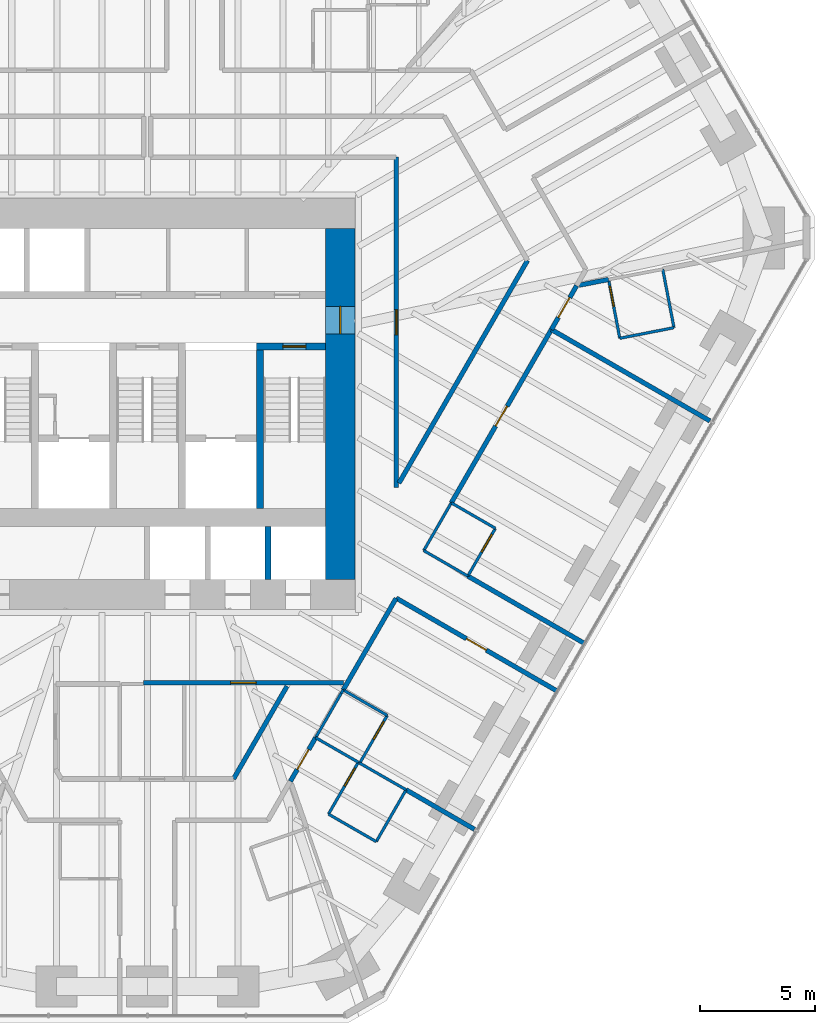
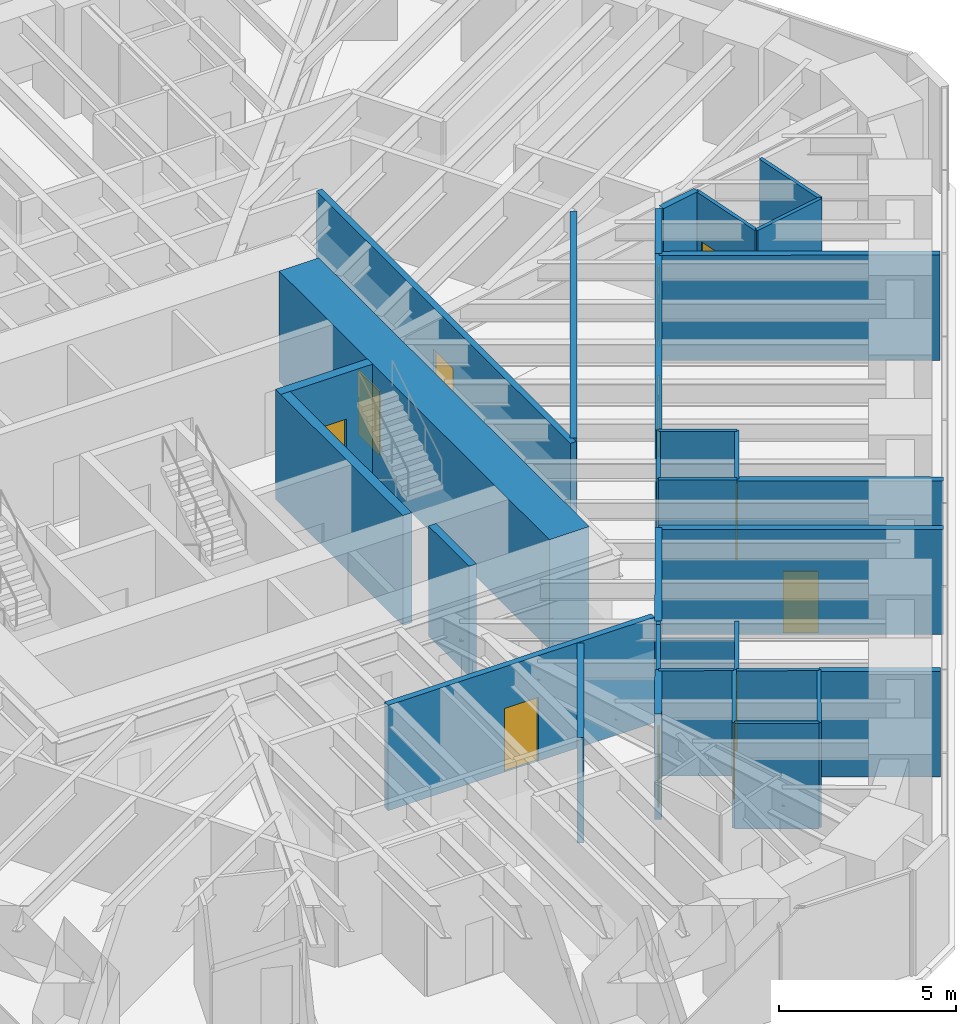
# One storey, part 13 of 16: 33 walls, 12 doors, 12 openings.
"""IFC4 building model written with IfcOpenShell, lengths in metres."""

from ifc_helpers import new_model, si_unit, direction, frame, frame_2d, origin, place, context, subcontext, project, spatial, rectangle, extrude, material, layer, layer_set, type_object, element, fill, save


model = new_model("IFC4")

# Units and contexts
model_context = context("Model", 3, precision=1e-05, world=origin(), true_north=direction((0.0, 1.0)))
body_context = subcontext(model_context, "Body", "Model", "MODEL_VIEW")
ifc_project = project(units=[si_unit("LENGTHUNIT", "METRE"), si_unit("AREAUNIT", "SQUARE_METRE"), si_unit("VOLUMEUNIT", "CUBIC_METRE"), si_unit("PLANEANGLEUNIT", "RADIAN"), si_unit("MASSUNIT", "GRAM", prefix="KILO")], contexts=[model_context])

# Site, building, storey
site_placement = place(None, origin())
site = spatial("IfcSite", under=ifc_project, at=site_placement, CompositionType="ELEMENT")
building_placement = place(site_placement, origin())
building = spatial("IfcBuilding", under=site, at=building_placement, Name="Sandreach Pilgrim Tower", CompositionType="ELEMENT")
storey_placement = place(building_placement, frame((0.0, 0.0, 131.0)))
storey = spatial("IfcBuildingStorey", under=building, at=storey_placement, Name="L32", CompositionType="ELEMENT", Elevation=131.0)

# Walls
ifc_material_1 = material(Name="Moisture-resistant gypsum board on steel studs", Category="steel")
ifc_layer_1 = layer(ifc_material_1, 0.1201171875)
ifc_layer_set_1 = layer_set([ifc_layer_1], Name="Bathroom partition 120")
wall_type_1 = type_object("IfcWallType", Name="Bathroom partition 120", PredefinedType="PARTITIONING", material=ifc_layer_set_1)
wall_1_placement = place(storey_placement, frame((7.330078125, -16.090087890625, 0.0), z_axis=(0.0, 0.0, 1.0), x_axis=(0.498475244549, 0.866903933877, 0.0)))
element("IfcWall", 1, at=wall_1_placement, inside=storey, type_object=wall_type_1, Name="Bathroom partition L32-088", PredefinedType="PARTITIONING", context=body_context, shape_type="SweptSolid", body=[
    extrude(rectangle(XDim=2.2265625, YDim=0.1201171875, at=frame_2d((1.11328125, 0.0))), origin(), (0.0, 0.0, 1.0), 3.639892578125),
])
wall_2_placement = place(storey_placement, frame((7.330078125, -16.090087890625, 0.0), z_axis=(0.0, 0.0, 1.0), x_axis=(0.866825160608, -0.498612214989, 0.0)))
element("IfcWall", 2, at=wall_2_placement, inside=storey, type_object=wall_type_1, Name="Bathroom partition L32-089", PredefinedType="PARTITIONING", context=body_context, shape_type="SweptSolid", body=[
    extrude(rectangle(XDim=2.1455078125, YDim=0.1201171875, at=frame_2d((1.07275390625, 0.0))), origin(), (0.0, 0.0, 1.0), 3.639892578125),
])
wall_3_placement = place(storey_placement, frame((7.889892578125, -19.419921875, 0.0), z_axis=(0.0, 0.0, 1.0), x_axis=(0.866202511239, -0.499693115345, 0.0)))
element("IfcWall", 3, at=wall_3_placement, inside=storey, type_object=wall_type_1, Name="Bathroom partition L32-091", PredefinedType="PARTITIONING", context=body_context, shape_type="SweptSolid", body=[
    extrude(rectangle(XDim=2.4013671875, YDim=0.1201171875, at=frame_2d((1.20068359375, 0.0))), origin(), (0.0, 0.0, 1.0), 3.639892578125),
])
wall_4_placement = place(storey_placement, frame((8.43994140625, -14.159912109375, 0.0), z_axis=(0.0, 0.0, 1.0), x_axis=(0.515111490125, 0.857123184111, 0.0)))
element("IfcWall", 4, at=wall_4_placement, inside=storey, type_object=wall_type_1, Name="Bathroom partition L32-092", PredefinedType="PARTITIONING", context=body_context, shape_type="SweptSolid", body=[
    extrude(rectangle(XDim=0.1748046875, YDim=0.1201171875, at=frame_2d((0.08740234375, 0.0))), origin(), (0.0, 0.0, 1.0), 3.639892578125),
])

# Wall, opening, door
wall_5_placement = place(storey_placement, frame((9.18994140625, -17.159912109375, 0.0), z_axis=(0.0, 0.0, 1.0), x_axis=(-0.498627694264, -0.866816256489, 0.0)))
wall_5 = element("IfcWall", 5, at=wall_5_placement, inside=storey, type_object=wall_type_1, Name="Bathroom partition L32-095", PredefinedType="PARTITIONING", context=body_context, shape_type="SweptSolid", body=[
    extrude(rectangle(XDim=2.607177734375, YDim=0.1201171875, at=frame_2d((1.3037109375, 0.0))), origin(), (0.0, 0.0, 1.0), 3.639892578125),
])
opening_1_placement = place(wall_5_placement, frame((0.300048828125, 0.0, 0.0)))
opening_1 = element("IfcOpeningElement", 6, at=opening_1_placement, cuts=wall_5, Name="Opening D09-09B", PredefinedType="OPENING", context=body_context, shape_type="SweptSolid", body=[
    extrude(rectangle(XDim=0.89990234375, YDim=2.030029296875, at=frame_2d((0.449951171875, 1.01513671875))), frame((0.0, 0.06005859375, 0.0), z_axis=(0.0, -1.0, 0.0), x_axis=(1.0, 0.0, 0.0)), (0.0, 0.0, 1.0), 0.1201171875),
])
ifc_material_2 = material(Name="Timber door, steel frame", Category="steel")
door_type_1 = type_object("IfcDoorType", Name="Bathroom door", OperationType="SINGLE_SWING_LEFT", PredefinedType="DOOR", material=ifc_material_2)
door_1_placement = place(opening_1_placement, origin())
door_1 = element("IfcDoor", 7, at=door_1_placement, inside=storey, type_object=door_type_1, Name="Door 3209B", OperationType="SINGLE_SWING_LEFT", OverallHeight=2.030029296875, OverallWidth=0.89990234375, PredefinedType="DOOR", context=body_context, shape_type="SweptSolid", body=[
    extrude(rectangle(XDim=0.89990234375, YDim=2.030029296875, at=frame_2d((0.449951171875, 1.01513671875))), frame((0.0, 0.02490234375, 0.0), z_axis=(0.0, -1.0, 0.0), x_axis=(1.0, 0.0, 0.0)), (0.0, 0.0, 1.0), 0.050048828125),
])
fill(opening_1, door_1)

wall_6_placement = place(storey_placement, frame((9.25, -17.199951171875, 0.0), z_axis=(0.0, 0.0, 1.0), x_axis=(0.499737123639, 0.866177122335, 0.0)))
wall_6 = element("IfcWall", 8, at=wall_6_placement, inside=storey, type_object=wall_type_1, Name="Bathroom partition L32-096", PredefinedType="PARTITIONING", context=body_context, shape_type="SweptSolid", body=[
    extrude(rectangle(XDim=2.401123046875, YDim=0.1201171875, at=frame_2d((1.20068359375, 0.0))), origin(), (0.0, 0.0, 1.0), 3.639892578125),
])
opening_2_placement = place(wall_6_placement, frame((1.201416015625, 0.0, 0.0)))
opening_2 = element("IfcOpeningElement", 9, at=opening_2_placement, cuts=wall_6, Name="Opening D09-08B", PredefinedType="OPENING", context=body_context, shape_type="SweptSolid", body=[
    extrude(rectangle(XDim=0.89990234375, YDim=2.030029296875, at=frame_2d((0.449951171875, 1.01513671875))), frame((0.0, 0.06005859375, 0.0), z_axis=(0.0, -1.0, 0.0), x_axis=(1.0, 0.0, 0.0)), (0.0, 0.0, 1.0), 0.1201171875),
])
door_2_placement = place(opening_2_placement, origin())
door_2 = element("IfcDoor", 10, at=door_2_placement, inside=storey, type_object=door_type_1, Name="Door 3208B", OperationType="SINGLE_SWING_RIGHT", OverallHeight=2.030029296875, OverallWidth=0.89990234375, PredefinedType="DOOR", context=body_context, shape_type="SweptSolid", body=[
    extrude(rectangle(XDim=0.89990234375, YDim=2.030029296875, at=frame_2d((0.449951171875, 1.01513671875))), frame((0.0, 0.02490234375, 0.0), z_axis=(0.0, -1.0, 0.0), x_axis=(1.0, 0.0, 0.0)), (0.0, 0.0, 1.0), 0.050048828125),
])
fill(opening_2, door_2)

# Walls
wall_7_placement = place(storey_placement, frame((9.25, -17.199951171875, 0.0), z_axis=(0.0, 0.0, 1.0), x_axis=(0.867157547908, -0.498033921641, 0.0)))
element("IfcWall", 11, at=wall_7_placement, inside=storey, type_object=wall_type_1, Name="Bathroom partition L32-097", PredefinedType="PARTITIONING", context=body_context, shape_type="SweptSolid", body=[
    extrude(rectangle(XDim=2.32958984375, YDim=0.1201171875, at=frame_2d((1.164794921875, 0.0))), origin(), (0.0, 0.0, 1.0), 3.639892578125),
])
wall_8_placement = place(storey_placement, frame((9.969970703125, -20.6201171875, 0.0), z_axis=(0.0, 0.0, 1.0), x_axis=(0.498627694264, 0.866816256489, 0.0)))
element("IfcWall", 12, at=wall_8_placement, inside=storey, type_object=wall_type_1, Name="Bathroom partition L32-105", PredefinedType="PARTITIONING", context=body_context, shape_type="SweptSolid", body=[
    extrude(rectangle(XDim=2.607177734375, YDim=0.1201171875, at=frame_2d((1.3037109375, 0.0))), origin(), (0.0, 0.0, 1.0), 3.639892578125),
])
wall_9_placement = place(storey_placement, frame((10.449951171875, -15.1201171875, 0.0), z_axis=(0.0, 0.0, 1.0), x_axis=(-0.865705017107, 0.500554515868, 0.0)))
element("IfcWall", 13, at=wall_9_placement, inside=storey, type_object=wall_type_1, Name="Bathroom partition L32-106", PredefinedType="PARTITIONING", context=body_context, shape_type="SweptSolid", body=[
    extrude(rectangle(XDim=2.2177734375, YDim=0.1201171875, at=frame_2d((1.10888671875, 0.0))), origin(), (0.0, 0.0, 1.0), 3.022705078125),
])
wall_10_placement = place(storey_placement, frame((12.0400390625, -7.93994140625, 0.0), z_axis=(0.0, 0.0, 1.0), x_axis=(0.499737123639, 0.866177122335, 0.0)))
element("IfcWall", 14, at=wall_10_placement, inside=storey, type_object=wall_type_1, Name="Bathroom partition L32-112", PredefinedType="PARTITIONING", context=body_context, shape_type="SweptSolid", body=[
    extrude(rectangle(XDim=2.401123046875, YDim=0.1201171875, at=frame_2d((1.20068359375, 0.0))), origin(), (0.0, 0.0, 1.0), 3.639892578125),
])
wall_11_placement = place(storey_placement, frame((12.0400390625, -7.93994140625, 0.0), z_axis=(0.0, 0.0, 1.0), x_axis=(0.865705017107, -0.500554515868, 0.0)))
element("IfcWall", 15, at=wall_11_placement, inside=storey, type_object=wall_type_1, Name="Bathroom partition L32-113", PredefinedType="PARTITIONING", context=body_context, shape_type="SweptSolid", body=[
    extrude(rectangle(XDim=2.2177734375, YDim=0.1201171875, at=frame_2d((1.10888671875, 0.0))), origin(), (0.0, 0.0, 1.0), 3.639892578125),
])

# Wall, opening, door
wall_12_placement = place(storey_placement, frame((13.9599609375, -9.050048828125, 0.0), z_axis=(0.0, 0.0, 1.0), x_axis=(0.499693115345, 0.866202511239, 0.0)))
wall_12 = element("IfcWall", 16, at=wall_12_placement, inside=storey, type_object=wall_type_1, Name="Bathroom partition L32-118", PredefinedType="PARTITIONING", context=body_context, shape_type="SweptSolid", body=[
    extrude(rectangle(XDim=2.4013671875, YDim=0.1201171875, at=frame_2d((1.20068359375, 0.0))), origin(), (0.0, 0.0, 1.0), 3.639892578125),
])
opening_3_placement = place(wall_12_placement, frame((1.201416015625, 0.0, 0.0)))
opening_3 = element("IfcOpeningElement", 17, at=opening_3_placement, cuts=wall_12, Name="Opening D09-07B", PredefinedType="OPENING", context=body_context, shape_type="SweptSolid", body=[
    extrude(rectangle(XDim=0.89990234375, YDim=2.030029296875, at=frame_2d((0.449951171875, 1.01513671875))), frame((0.0, 0.06005859375, 0.0), z_axis=(0.0, -1.0, 0.0), x_axis=(1.0, 0.0, 0.0)), (0.0, 0.0, 1.0), 0.1201171875),
])
door_3_placement = place(opening_3_placement, origin())
door_3 = element("IfcDoor", 18, at=door_3_placement, inside=storey, type_object=door_type_1, Name="Door 3207B", OperationType="SINGLE_SWING_RIGHT", OverallHeight=2.030029296875, OverallWidth=0.89990234375, PredefinedType="DOOR", context=body_context, shape_type="SweptSolid", body=[
    extrude(rectangle(XDim=0.89990234375, YDim=2.030029296875, at=frame_2d((0.449951171875, 1.01513671875))), frame((0.0, 0.02490234375, 0.0), z_axis=(0.0, -1.0, 0.0), x_axis=(1.0, 0.0, 0.0)), (0.0, 0.0, 1.0), 0.050048828125),
])
fill(opening_3, door_3)

# Wall
wall_13_placement = place(storey_placement, frame((15.159912109375, -6.969970703125, 0.0), z_axis=(0.0, 0.0, 1.0), x_axis=(-0.865705017107, 0.500554515868, 0.0)))
element("IfcWall", 19, at=wall_13_placement, inside=storey, type_object=wall_type_1, Name="Bathroom partition L32-121", PredefinedType="PARTITIONING", context=body_context, shape_type="SweptSolid", body=[
    extrude(rectangle(XDim=2.2177734375, YDim=0.1201171875, at=frame_2d((1.10888671875, 0.0))), origin(), (0.0, 0.0, 1.0), 3.639892578125),
])

# Wall, opening, door
wall_14_placement = place(storey_placement, frame((20.090087890625, 3.8701171875, 0.0), z_axis=(0.0, 0.0, 1.0), x_axis=(0.187985762814, -0.982171753299, 0.0)))
wall_14 = element("IfcWall", 20, at=wall_14_placement, inside=storey, type_object=wall_type_1, Name="Bathroom partition L32-130", PredefinedType="PARTITIONING", context=body_context, shape_type="SweptSolid", body=[
    extrude(rectangle(XDim=2.6064453125, YDim=0.1201171875, at=frame_2d((1.30322265625, 0.0))), origin(), (0.0, 0.0, 1.0), 3.639892578125),
])
opening_4_placement = place(wall_14_placement, frame((0.300048828125, 0.0, 0.0)))
opening_4 = element("IfcOpeningElement", 21, at=opening_4_placement, cuts=wall_14, Name="Opening D09-06B", PredefinedType="OPENING", context=body_context, shape_type="SweptSolid", body=[
    extrude(rectangle(XDim=0.89990234375, YDim=2.030029296875, at=frame_2d((0.449951171875, 1.01513671875))), frame((0.0, 0.06005859375, 0.0), z_axis=(0.0, -1.0, 0.0), x_axis=(1.0, 0.0, 0.0)), (0.0, 0.0, 1.0), 0.1201171875),
])
door_4_placement = place(opening_4_placement, origin())
door_4 = element("IfcDoor", 22, at=door_4_placement, inside=storey, type_object=door_type_1, Name="Door 3206B", OperationType="SINGLE_SWING_LEFT", OverallHeight=2.030029296875, OverallWidth=0.89990234375, PredefinedType="DOOR", context=body_context, shape_type="SweptSolid", body=[
    extrude(rectangle(XDim=0.89990234375, YDim=2.030029296875, at=frame_2d((0.449951171875, 1.01513671875))), frame((0.0, 0.02490234375, 0.0), z_axis=(0.0, -1.0, 0.0), x_axis=(1.0, 0.0, 0.0)), (0.0, 0.0, 1.0), 0.050048828125),
])
fill(opening_4, door_4)

# Walls
wall_15_placement = place(storey_placement, frame((20.580078125, 1.31005859375, 0.0), z_axis=(0.0, 0.0, 1.0), x_axis=(0.981529676402, 0.191309943135, 0.0)))
element("IfcWall", 23, at=wall_15_placement, inside=storey, type_object=wall_type_1, Name="Bathroom partition L32-132", PredefinedType="PARTITIONING", context=body_context, shape_type="SweptSolid", body=[
    extrude(rectangle(XDim=2.404296875, YDim=0.1201171875, at=frame_2d((1.2021484375, 0.0))), origin(), (0.0, 0.0, 1.0), 3.639892578125),
])
wall_16_placement = place(storey_placement, frame((22.93994140625, 1.77001953125, 0.0), z_axis=(0.0, 0.0, 1.0), x_axis=(-0.188697442844, 0.982035271802, 0.0)))
element("IfcWall", 24, at=wall_16_placement, inside=storey, type_object=wall_type_1, Name="Bathroom partition L32-134", PredefinedType="PARTITIONING", context=body_context, shape_type="SweptSolid", body=[
    extrude(rectangle(XDim=2.5966796875, YDim=0.1201171875, at=frame_2d((1.29833984375, 0.0))), origin(), (0.0, 0.0, 1.0), 3.639892578125),
])
ifc_material_3 = material(Name="Concrete 10000 psi", Category="concrete")
ifc_layer_2 = layer(ifc_material_3, 0.300048828125)
ifc_layer_set_2 = layer_set([ifc_layer_2], Name="Core inner wall 300")
wall_type_2 = type_object("IfcWallType", Name="Core inner wall 300", PredefinedType="SHEAR", material=ifc_layer_set_2)
wall_17_placement = place(storey_placement, frame((4.89990234375, -6.10009765625, 0.0), z_axis=(0.0, 0.0, 1.0), x_axis=(0.0, 1.0, 0.0)))
element("IfcWall", 25, at=wall_17_placement, inside=storey, type_object=wall_type_2, Name="Core wall I3 L32", PredefinedType="SHEAR", context=body_context, shape_type="SweptSolid", body=[
    extrude(rectangle(XDim=7.2001953125, YDim=0.300048828125, at=frame_2d((3.60009765625, 0.0))), origin(), (0.0, 0.0, 1.0), 3.800048828125),
])

# Wall, opening, door
wall_18_placement = place(storey_placement, frame((4.75, 0.949951171875, 0.0), z_axis=(0.0, 0.0, 1.0), x_axis=(1.0, 0.0, 0.0)))
wall_18 = element("IfcWall", 26, at=wall_18_placement, inside=storey, type_object=wall_type_2, Name="Core wall SN2 L32", PredefinedType="SHEAR", context=body_context, shape_type="SweptSolid", body=[
    extrude(rectangle(XDim=3.0, YDim=0.300048828125, at=frame_2d((1.5, 0.0))), origin(), (0.0, 0.0, 1.0), 3.800048828125),
])
opening_5_placement = place(wall_18_placement, frame((1.14990234375, 0.0, 0.0)))
opening_5 = element("IfcOpeningElement", 27, at=opening_5_placement, cuts=wall_18, Name="Opening D10S-ST2", PredefinedType="OPENING", context=body_context, shape_type="SweptSolid", body=[
    extrude(rectangle(XDim=1.0, YDim=2.199951171875, at=frame_2d((0.5, 1.10009765625))), frame((0.0, 0.14990234375, 0.0), z_axis=(0.0, -1.0, 0.0), x_axis=(1.0, 0.0, 0.0)), (0.0, 0.0, 1.0), 0.300048828125),
])
ifc_material_4 = material(Name="Steel door and frame", Category="steel")
door_type_2 = type_object("IfcDoorType", Name="Stair door", OperationType="SINGLE_SWING_LEFT", PredefinedType="DOOR", material=ifc_material_4)
door_5_placement = place(opening_5_placement, origin())
door_5 = element("IfcDoor", 28, at=door_5_placement, inside=storey, type_object=door_type_2, Name="Stair door ST2 L32", OperationType="SINGLE_SWING_RIGHT", OverallHeight=2.199951171875, OverallWidth=1.0, PredefinedType="DOOR", context=body_context, shape_type="SweptSolid", body=[
    extrude(rectangle(XDim=1.0, YDim=2.199951171875, at=frame_2d((0.5, 1.10009765625))), frame((0.0, 0.02490234375, 0.0), z_axis=(0.0, -1.0, 0.0), x_axis=(1.0, 0.0, 0.0)), (0.0, 0.0, 1.0), 0.050048828125),
])
fill(opening_5, door_5)

ifc_material_5 = material(Name="Concrete 10000 psi", Category="concrete")
ifc_layer_3 = layer(ifc_material_5, 1.300048828125)
ifc_layer_set_3 = layer_set([ifc_layer_3], Name="Core wall 1300")
wall_type_3 = type_object("IfcWallType", Name="Core wall 1300", PredefinedType="SHEAR", material=ifc_layer_set_3)
wall_19_placement = place(storey_placement, frame((8.39990234375, -9.199951171875, 0.0), z_axis=(0.0, 0.0, 1.0), x_axis=(0.0, 1.0, 0.0)))
wall_19 = element("IfcWall", 29, at=wall_19_placement, inside=storey, type_object=wall_type_3, Name="Core wall E L32", PredefinedType="SHEAR", context=body_context, shape_type="SweptSolid", body=[
    extrude(rectangle(XDim=15.300048828125, YDim=1.300048828125, at=frame_2d((7.64990234375, 0.0))), origin(), (0.0, 0.0, 1.0), 3.800048828125),
])
opening_6_placement = place(wall_19_placement, frame((10.699951171875, 0.0, 0.0)))
opening_6 = element("IfcOpeningElement", 30, at=opening_6_placement, cuts=wall_19, Name="Opening D12F-E", PredefinedType="OPENING", context=body_context, shape_type="SweptSolid", body=[
    extrude(rectangle(XDim=1.199951171875, YDim=2.199951171875, at=frame_2d((0.60009765625, 1.10009765625))), frame((0.0, 0.64990234375, 0.0), z_axis=(0.0, -1.0, 0.0), x_axis=(1.0, 0.0, 0.0)), (0.0, 0.0, 1.0), 1.300048828125),
])
ifc_material_6 = material(Name="Steel door and frame", Category="steel")
door_type_3 = type_object("IfcDoorType", Name="Fire lobby door", OperationType="SINGLE_SWING_LEFT", PredefinedType="DOOR", material=ifc_material_6)
door_6_placement = place(opening_6_placement, origin())
door_6 = element("IfcDoor", 31, at=door_6_placement, inside=storey, type_object=door_type_3, Name="Fire service lobby door E L32", OperationType="SINGLE_SWING_RIGHT", OverallHeight=2.199951171875, OverallWidth=1.199951171875, PredefinedType="DOOR", context=body_context, shape_type="SweptSolid", body=[
    extrude(rectangle(XDim=1.199951171875, YDim=2.199951171875, at=frame_2d((0.60009765625, 1.10009765625))), frame((0.0, 0.02490234375, 0.0), z_axis=(0.0, -1.0, 0.0), x_axis=(1.0, 0.0, 0.0)), (0.0, 0.0, 1.0), 0.050048828125),
])
fill(opening_6, door_6)

# Wall
ifc_material_7 = material(Name="Gypsum board on steel studs, two layers each side", Category="steel")
ifc_layer_4 = layer(ifc_material_7, 0.199951171875)
ifc_layer_set_4 = layer_set([ifc_layer_4], Name="Corridor wall 200")
wall_type_4 = type_object("IfcWallType", Name="Corridor wall 200", PredefinedType="PARTITIONING", material=ifc_layer_set_4)
wall_20_placement = place(storey_placement, frame((6.08251953125, -13.849609375, 0.0), z_axis=(0.0, 0.0, 1.0), x_axis=(-0.499977643516, -0.866038310922, 0.0)))
element("IfcWall", 32, at=wall_20_placement, inside=storey, type_object=wall_type_4, Name="Corridor wall L32-081", PredefinedType="PARTITIONING", context=body_context, shape_type="SweptSolid", body=[
    extrude(rectangle(XDim=4.665283203125, YDim=0.199951171875, at=frame_2d((2.33251953125, 0.0))), origin(), (0.0, 0.0, 1.0), 3.639892578125),
])

# Wall, opening, door
wall_21_placement = place(storey_placement, frame((6.22998046875, -17.989990234375, 0.0), z_axis=(0.0, 0.0, 1.0), x_axis=(0.500957366999, 0.865471961677, 0.0)))
wall_21 = element("IfcWall", 33, at=wall_21_placement, inside=storey, type_object=wall_type_4, Name="Corridor wall L32-082", PredefinedType="PARTITIONING", context=body_context, shape_type="SweptSolid", body=[
    extrude(rectangle(XDim=2.195556640625, YDim=0.199951171875, at=frame_2d((1.09765625, 0.0))), origin(), (0.0, 0.0, 1.0), 3.639892578125),
])
opening_7_placement = place(wall_21_placement, frame((0.597900390625, 0.0, 0.0)))
opening_7 = element("IfcOpeningElement", 34, at=opening_7_placement, cuts=wall_21, Name="Opening D10-09", PredefinedType="OPENING", context=body_context, shape_type="SweptSolid", body=[
    extrude(rectangle(XDim=1.0, YDim=2.1298828125, at=frame_2d((0.5, 1.06494140625))), frame((0.0, 0.10009765625, 0.0), z_axis=(0.0, -1.0, 0.0), x_axis=(1.0, 0.0, 0.0)), (0.0, 0.0, 1.0), 0.199951171875),
])
ifc_material_8 = material(Name="Steel door and frame", Category="steel")
door_type_4 = type_object("IfcDoorType", Name="Guest room entry door", OperationType="SINGLE_SWING_LEFT", PredefinedType="DOOR", material=ifc_material_8)
door_7_placement = place(opening_7_placement, origin())
door_7 = element("IfcDoor", 35, at=door_7_placement, inside=storey, type_object=door_type_4, Name="Door 3209", OperationType="SINGLE_SWING_LEFT", OverallHeight=2.1298828125, OverallWidth=1.0, PredefinedType="DOOR", context=body_context, shape_type="SweptSolid", body=[
    extrude(rectangle(XDim=1.0, YDim=2.1298828125, at=frame_2d((0.5, 1.06494140625))), frame((0.0, 0.02490234375, 0.0), z_axis=(0.0, -1.0, 0.0), x_axis=(1.0, 0.0, 0.0)), (0.0, 0.0, 1.0), 0.050048828125),
])
fill(opening_7, door_7)

# Wall
wall_22_placement = place(storey_placement, frame((8.530029296875, -14.010009765625, 0.0), z_axis=(0.0, 0.0, 1.0), x_axis=(0.500091179446, 0.865972754907, 0.0)))
element("IfcWall", 36, at=wall_22_placement, inside=storey, type_object=wall_type_4, Name="Corridor wall L32-093", PredefinedType="PARTITIONING", context=body_context, shape_type="SweptSolid", body=[
    extrude(rectangle(XDim=4.604248046875, YDim=0.199951171875, at=frame_2d((2.30224609375, 0.0))), origin(), (0.0, 0.0, 1.0), 3.639892578125),
])

# Wall, opening, door
wall_23_placement = place(storey_placement, frame((8.53369140625, -13.699951171875, 0.0), z_axis=(0.0, 0.0, 1.0), x_axis=(-1.0, 0.0, 0.0)))
wall_23 = element("IfcWall", 37, at=wall_23_placement, inside=storey, type_object=wall_type_4, Name="Corridor wall L32-094", PredefinedType="PARTITIONING", context=body_context, shape_type="SweptSolid", body=[
    extrude(rectangle(XDim=8.70361328125, YDim=0.199951171875, at=frame_2d((4.351806640625, 0.0))), origin(), (0.0, 0.0, 1.0), 3.639892578125),
])
opening_8_placement = place(wall_23_placement, frame((3.8017578125, 0.0, 0.0)))
opening_8 = element("IfcOpeningElement", 38, at=opening_8_placement, cuts=wall_23, Name="Opening D11H-S4", PredefinedType="OPENING", context=body_context, shape_type="SweptSolid", body=[
    extrude(rectangle(XDim=1.10009765625, YDim=2.199951171875, at=frame_2d((0.550048828125, 1.10009765625))), frame((0.0, 0.10009765625, 0.0), z_axis=(0.0, -1.0, 0.0), x_axis=(1.0, 0.0, 0.0)), (0.0, 0.0, 1.0), 0.199951171875),
])
ifc_material_9 = material(Name="Steel door and frame", Category="steel")
door_type_5 = type_object("IfcDoorType", Name="Back of house door", OperationType="SINGLE_SWING_LEFT", PredefinedType="DOOR", material=ifc_material_9)
door_8_placement = place(opening_8_placement, origin())
door_8 = element("IfcDoor", 39, at=door_8_placement, inside=storey, type_object=door_type_5, Name="Door 32S4", OperationType="SINGLE_SWING_LEFT", OverallHeight=2.199951171875, OverallWidth=1.10009765625, PredefinedType="DOOR", context=body_context, shape_type="SweptSolid", body=[
    extrude(rectangle(XDim=1.10009765625, YDim=2.199951171875, at=frame_2d((0.550048828125, 1.10009765625))), frame((0.0, 0.02490234375, 0.0), z_axis=(0.0, -1.0, 0.0), x_axis=(1.0, 0.0, 0.0)), (0.0, 0.0, 1.0), 0.050048828125),
])
fill(opening_8, door_8)

wall_24_placement = place(storey_placement, frame((10.840087890625, -10.010009765625, 0.0), z_axis=(0.0, 0.0, 1.0), x_axis=(0.86587701925, -0.500256921525, 0.0)))
wall_24 = element("IfcWall", 40, at=wall_24_placement, inside=storey, type_object=wall_type_4, Name="Corridor wall L32-107", PredefinedType="PARTITIONING", context=body_context, shape_type="SweptSolid", body=[
    extrude(rectangle(XDim=8.065673828125, YDim=0.199951171875, at=frame_2d((4.03271484375, 0.0))), origin(), (0.0, 0.0, 1.0), 3.639892578125),
])
opening_9_placement = place(wall_24_placement, frame((3.532958984375, 0.0, 0.0)))
opening_9 = element("IfcOpeningElement", 41, at=opening_9_placement, cuts=wall_24, Name="Opening D10-08", PredefinedType="OPENING", context=body_context, shape_type="SweptSolid", body=[
    extrude(rectangle(XDim=1.0, YDim=2.1298828125, at=frame_2d((0.5, 1.06494140625))), frame((0.0, 0.10009765625, 0.0), z_axis=(0.0, -1.0, 0.0), x_axis=(1.0, 0.0, 0.0)), (0.0, 0.0, 1.0), 0.199951171875),
])
door_9_placement = place(opening_9_placement, origin())
door_9 = element("IfcDoor", 42, at=door_9_placement, inside=storey, type_object=door_type_4, Name="Door 3208", OperationType="SINGLE_SWING_LEFT", OverallHeight=2.1298828125, OverallWidth=1.0, PredefinedType="DOOR", context=body_context, shape_type="SweptSolid", body=[
    extrude(rectangle(XDim=1.0, YDim=2.1298828125, at=frame_2d((0.5, 1.06494140625))), frame((0.0, 0.02490234375, 0.0), z_axis=(0.0, -1.0, 0.0), x_axis=(1.0, 0.0, 0.0)), (0.0, 0.0, 1.0), 0.050048828125),
])
fill(opening_9, door_9)

wall_25_placement = place(storey_placement, frame((10.85009765625, -5.18994140625, 0.0), z_axis=(0.0, 0.0, 1.0), x_axis=(0.0, 1.0, 0.0)))
wall_25 = element("IfcWall", 43, at=wall_25_placement, inside=storey, type_object=wall_type_4, Name="Corridor wall L32-109", PredefinedType="PARTITIONING", context=body_context, shape_type="SweptSolid", body=[
    extrude(rectangle(XDim=14.389892578125, YDim=0.199951171875, at=frame_2d((7.19482421875, 0.0))), origin(), (0.0, 0.0, 1.0), 3.639892578125),
])
opening_10_placement = place(wall_25_placement, frame((6.64501953125, 0.0, 0.0)))
opening_10 = element("IfcOpeningElement", 44, at=opening_10_placement, cuts=wall_25, Name="Opening D11H-M2", PredefinedType="OPENING", context=body_context, shape_type="SweptSolid", body=[
    extrude(rectangle(XDim=1.10009765625, YDim=2.199951171875, at=frame_2d((0.550048828125, 1.10009765625))), frame((0.0, 0.10009765625, 0.0), z_axis=(0.0, -1.0, 0.0), x_axis=(1.0, 0.0, 0.0)), (0.0, 0.0, 1.0), 0.199951171875),
])
door_10_placement = place(opening_10_placement, origin())
door_10 = element("IfcDoor", 45, at=door_10_placement, inside=storey, type_object=door_type_5, Name="Door 32M2", OperationType="SINGLE_SWING_LEFT", OverallHeight=2.199951171875, OverallWidth=1.10009765625, PredefinedType="DOOR", context=body_context, shape_type="SweptSolid", body=[
    extrude(rectangle(XDim=1.10009765625, YDim=2.199951171875, at=frame_2d((0.550048828125, 1.10009765625))), frame((0.0, 0.02490234375, 0.0), z_axis=(0.0, -1.0, 0.0), x_axis=(1.0, 0.0, 0.0)), (0.0, 0.0, 1.0), 0.050048828125),
])
fill(opening_10, door_10)

wall_26_placement = place(storey_placement, frame((13.239990234375, -5.860107421875, 0.0), z_axis=(0.0, 0.0, 1.0), x_axis=(0.500093306236, 0.865971526701, 0.0)))
wall_26 = element("IfcWall", 46, at=wall_26_placement, inside=storey, type_object=wall_type_4, Name="Corridor wall L32-117", PredefinedType="PARTITIONING", context=body_context, shape_type="SweptSolid", body=[
    extrude(rectangle(XDim=8.718505859375, YDim=0.199951171875, at=frame_2d((4.359375, 0.0))), origin(), (0.0, 0.0, 1.0), 3.639892578125),
])
opening_11_placement = place(wall_26_placement, frame((3.859130859375, 0.0, 0.0)))
opening_11 = element("IfcOpeningElement", 47, at=opening_11_placement, cuts=wall_26, Name="Opening D10-07", PredefinedType="OPENING", context=body_context, shape_type="SweptSolid", body=[
    extrude(rectangle(XDim=1.0, YDim=2.1298828125, at=frame_2d((0.5, 1.06494140625))), frame((0.0, 0.10009765625, 0.0), z_axis=(0.0, -1.0, 0.0), x_axis=(1.0, 0.0, 0.0)), (0.0, 0.0, 1.0), 0.199951171875),
])
door_11_placement = place(opening_11_placement, origin())
door_11 = element("IfcDoor", 48, at=door_11_placement, inside=storey, type_object=door_type_4, Name="Door 3207", OperationType="SINGLE_SWING_LEFT", OverallHeight=2.1298828125, OverallWidth=1.0, PredefinedType="DOOR", context=body_context, shape_type="SweptSolid", body=[
    extrude(rectangle(XDim=1.0, YDim=2.1298828125, at=frame_2d((0.5, 1.06494140625))), frame((0.0, 0.02490234375, 0.0), z_axis=(0.0, -1.0, 0.0), x_axis=(1.0, 0.0, 0.0)), (0.0, 0.0, 1.0), 0.050048828125),
])
fill(opening_11, door_11)

# Walls
wall_27_placement = place(storey_placement, frame((13.9599609375, -9.050048828125, 0.0), z_axis=(0.0, 0.0, 1.0), x_axis=(0.865934584664, -0.500157270349, 0.0)))
element("IfcWall", 49, at=wall_27_placement, inside=storey, type_object=wall_type_4, Name="Corridor wall L32-119", PredefinedType="PARTITIONING", context=body_context, shape_type="SweptSolid", body=[
    extrude(rectangle(XDim=5.84814453125, YDim=0.199951171875, at=frame_2d((2.924072265625, 0.0))), origin(), (0.0, 0.0, 1.0), 3.639892578125),
])
wall_28_placement = place(storey_placement, frame((16.56005859375, 4.699951171875, 0.0), z_axis=(0.0, 0.0, 1.0), x_axis=(-0.500007375767, -0.866021145342, 0.0)))
element("IfcWall", 50, at=wall_28_placement, inside=storey, type_object=wall_type_4, Name="Corridor wall L32-123", PredefinedType="PARTITIONING", context=body_context, shape_type="SweptSolid", body=[
    extrude(rectangle(XDim=11.199951171875, YDim=0.199951171875, at=frame_2d((5.60009765625, 0.0))), origin(), (0.0, 0.0, 1.0), 3.639892578125),
])

# Wall, opening, door
wall_29_placement = place(storey_placement, frame((17.60009765625, 1.68994140625, 0.0), z_axis=(0.0, 0.0, 1.0), x_axis=(0.498987132006, 0.866609394187, 0.0)))
wall_29 = element("IfcWall", 51, at=wall_29_placement, inside=storey, type_object=wall_type_4, Name="Corridor wall L32-125", PredefinedType="PARTITIONING", context=body_context, shape_type="SweptSolid", body=[
    extrude(rectangle(XDim=2.2041015625, YDim=0.199951171875, at=frame_2d((1.10205078125, 0.0))), origin(), (0.0, 0.0, 1.0), 3.639892578125),
])
opening_12_placement = place(wall_29_placement, frame((0.60205078125, 0.0, 0.0)))
opening_12 = element("IfcOpeningElement", 52, at=opening_12_placement, cuts=wall_29, Name="Opening D10-06", PredefinedType="OPENING", context=body_context, shape_type="SweptSolid", body=[
    extrude(rectangle(XDim=1.0, YDim=2.1298828125, at=frame_2d((0.5, 1.06494140625))), frame((0.0, 0.10009765625, 0.0), z_axis=(0.0, -1.0, 0.0), x_axis=(1.0, 0.0, 0.0)), (0.0, 0.0, 1.0), 0.199951171875),
])
door_12_placement = place(opening_12_placement, origin())
door_12 = element("IfcDoor", 53, at=door_12_placement, inside=storey, type_object=door_type_4, Name="Door 3206", OperationType="SINGLE_SWING_LEFT", OverallHeight=2.1298828125, OverallWidth=1.0, PredefinedType="DOOR", context=body_context, shape_type="SweptSolid", body=[
    extrude(rectangle(XDim=1.0, YDim=2.1298828125, at=frame_2d((0.5, 1.06494140625))), frame((0.0, 0.02490234375, 0.0), z_axis=(0.0, -1.0, 0.0), x_axis=(1.0, 0.0, 0.0)), (0.0, 0.0, 1.0), 0.050048828125),
])
fill(opening_12, door_12)

# Walls
ifc_material_10 = material(Name="Double steel stud acoustic wall, gypsum board", Category="steel")
ifc_layer_5 = layer(ifc_material_10, 0.199951171875)
ifc_layer_set_5 = layer_set([ifc_layer_5], Name="Party wall 200")
wall_type_5 = type_object("IfcWallType", Name="Party wall 200", PredefinedType="PARTITIONING", material=ifc_layer_set_5)
wall_30_placement = place(storey_placement, frame((11.27001953125, -18.360107421875, 0.0), z_axis=(0.0, 0.0, 1.0), x_axis=(0.865806952829, -0.500378177414, 0.0)))
element("IfcWall", 54, at=wall_30_placement, inside=storey, type_object=wall_type_5, Name="Party wall L32-111", PredefinedType="PARTITIONING", context=body_context, shape_type="SweptSolid", body=[
    extrude(rectangle(XDim=3.437255859375, YDim=0.199951171875, at=frame_2d((1.71875, 0.0))), origin(), (0.0, 0.0, 1.0), 3.639892578125),
])
wall_31_placement = place(storey_placement, frame((18.807861328125, 3.62109375, 0.0), z_axis=(0.0, 0.0, 1.0), x_axis=(0.981658166981, 0.190649529764, 0.0)))
element("IfcWall", 55, at=wall_31_placement, inside=storey, type_object=wall_type_5, Name="Party wall L32-127", PredefinedType="PARTITIONING", context=body_context, shape_type="SweptSolid", body=[
    extrude(rectangle(XDim=1.30615234375, YDim=0.199951171875, at=frame_2d((0.653076171875, 0.0))), origin(), (0.0, 0.0, 1.0), 3.639892578125),
])
wall_32_placement = place(storey_placement, frame((24.506103515625, -2.2900390625, 0.0), z_axis=(0.0, 0.0, 1.0), x_axis=(-0.866414224119, 0.499325937884, 0.0)))
element("IfcWall", 56, at=wall_32_placement, inside=storey, type_object=wall_type_5, Name="Party wall L32-136", PredefinedType="PARTITIONING", context=body_context, shape_type="SweptSolid", body=[
    extrude(rectangle(XDim=7.9609375, YDim=0.199951171875, at=frame_2d((3.98046875, 0.0))), origin(), (0.0, 0.0, 1.0), 3.639892578125),
])
ifc_material_11 = material(Name="Gypsum shaft wall on steel studs, two layers of shaft liner board", Category="steel")
ifc_layer_6 = layer(ifc_material_11, 0.25)
ifc_layer_set_6 = layer_set([ifc_layer_6], Name="Shaft partition 250")
wall_type_6 = type_object("IfcWallType", Name="Shaft partition 250", PredefinedType="PARTITIONING", material=ifc_layer_set_6)
wall_33_placement = place(storey_placement, frame((5.25, -9.199951171875, 0.0), z_axis=(0.0, 0.0, 1.0), x_axis=(0.0, 1.0, 0.0)))
element("IfcWall", 57, at=wall_33_placement, inside=storey, type_object=wall_type_6, Name="Shaft partition XS4 L32", PredefinedType="PARTITIONING", context=body_context, shape_type="SweptSolid", body=[
    extrude(rectangle(XDim=2.300048828125, YDim=0.25, at=frame_2d((1.14990234375, 0.0))), origin(), (0.0, 0.0, 1.0), 3.800048828125),
])

save(model, "model.ifc")
